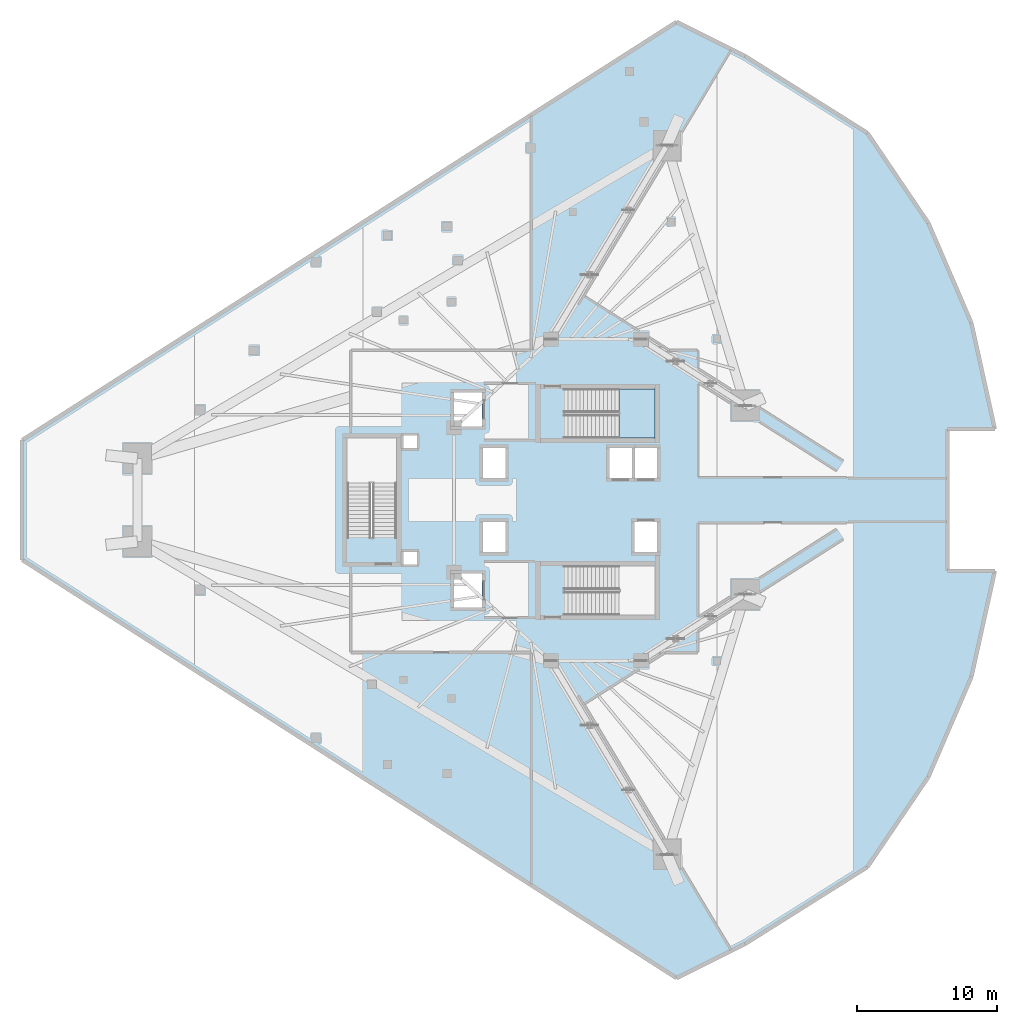
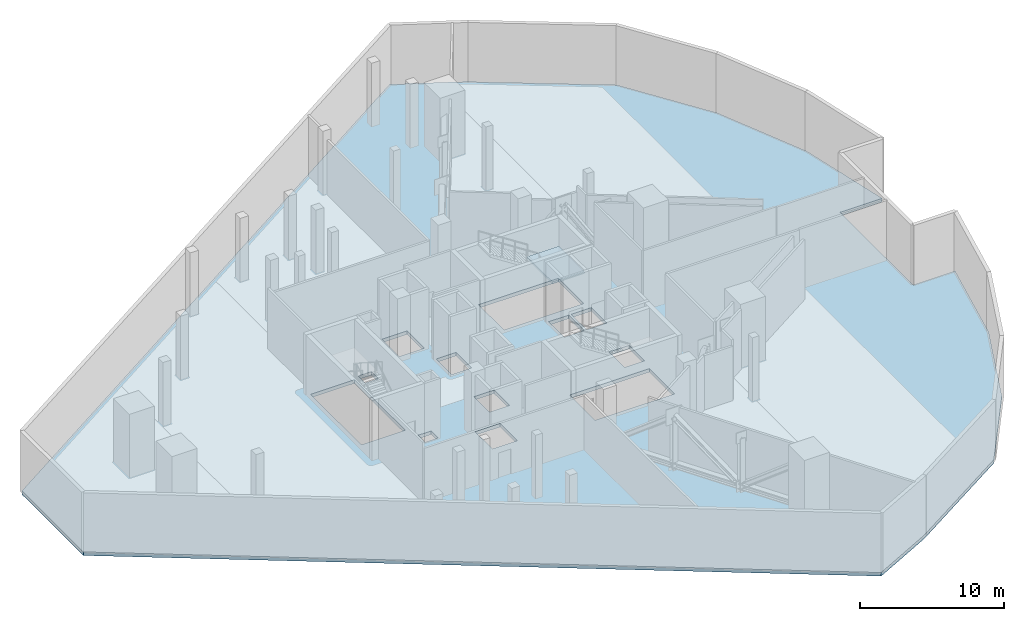
# One storey, part 3 of 12: 2 slabs, 1 element without a shape of its own.
"""IFC4 building model written with IfcOpenShell, lengths in metres."""

import ifcopenshell
import ifcopenshell.guid

model = None  # the IFC model being written
_history = None  # IfcOwnerHistory: only IFC2X3 demands one
_inside = {}  # id of a spatial element -> (the spatial element, [elements in it])
_under = {}  # id of a project, library or spatial element -> (it, [spatial elements below it])
_declared = {}  # id of a project -> (the project, [libraries it declares])
_typed = {}  # id of a type object -> (the type object, [elements of that type])
_made_of = {}  # id of a material, layer set ... -> (it, [elements and type objects made of it])


def new_model(schema):
    """Start an empty IFC model of exactly this schema.

    Asked for "IFC4X3", IfcOpenShell would pick the latest addendum, in which some entities
    have other attributes; the version numbers below select the first issue.
    IFC2X3 requires an IfcOwnerHistory on every rooted entity: one is made here for all.
    """
    global model, _history
    if schema == "IFC4X3":
        model = ifcopenshell.file(schema_version=(4, 3, 0, 0))
    else:
        model = ifcopenshell.file(schema=schema)
    _inside.clear()
    _under.clear()
    _declared.clear()
    _typed.clear()
    _made_of.clear()
    _history = None
    if model.schema == "IFC2X3":
        org = make("IfcOrganization", Name="unknown")
        user = make(
            "IfcPersonAndOrganization",
            ThePerson=make("IfcPerson", FamilyName="unknown"),
            TheOrganization=org,
        )
        app = make(
            "IfcApplication",
            ApplicationDeveloper=org,
            Version="unknown",
            ApplicationFullName="unknown",
            ApplicationIdentifier="unknown",
        )
        _history = make(
            "IfcOwnerHistory",
            OwningUser=user,
            OwningApplication=app,
            ChangeAction="ADDED",
            CreationDate=0,
        )
    return model


def make(cls, **values):
    """One entity of the class cls with the attributes given. An attribute that is None is left unset."""
    return model.create_entity(
        cls, **{name: value for name, value in values.items() if value is not None}
    )


def rooted(cls, **values):
    """An entity with a GlobalId (a new one), such as an element, a storey or a relation."""
    return make(cls, GlobalId=ifcopenshell.guid.new(), OwnerHistory=_history, **values)


def si_unit(unit_type, name, prefix=None):
    """IfcSIUnit, for example si_unit("LENGTHUNIT", "METRE", prefix="MILLI")."""
    return make("IfcSIUnit", UnitType=unit_type, Prefix=prefix, Name=name)


def assignment(units):
    """IfcUnitAssignment: the units of a project."""
    return None if units is None else make("IfcUnitAssignment", Units=units)


def point(xyz):
    """IfcCartesianPoint."""
    return None if xyz is None else make("IfcCartesianPoint", Coordinates=xyz)


def direction(xyz):
    """IfcDirection."""
    return None if xyz is None else make("IfcDirection", DirectionRatios=xyz)


def frame(location, z_axis=None, x_axis=None):
    """IfcAxis2Placement3D, a coordinate frame: its origin and axes. An axis left out is left unset."""
    return make(
        "IfcAxis2Placement3D",
        Location=point(location),
        Axis=direction(z_axis),
        RefDirection=direction(x_axis),
    )


def origin():
    """The frame at (0, 0, 0) with its axes left unset."""
    return frame((0.0, 0.0, 0.0))


def place(relative_to, where):
    """IfcLocalPlacement: puts the frame where relative to a parent placement (None: the world)."""
    return make(
        "IfcLocalPlacement", PlacementRelTo=relative_to, RelativePlacement=where
    )


def context(
    kind, dimensions, precision=None, world=None, true_north=None, identifier=None
):
    """IfcGeometricRepresentationContext, for example the 3D "Model" context."""
    return make(
        "IfcGeometricRepresentationContext",
        ContextIdentifier=identifier,
        ContextType=kind,
        CoordinateSpaceDimension=dimensions,
        Precision=precision,
        WorldCoordinateSystem=world,
        TrueNorth=true_north,
    )


def subcontext(parent, identifier, kind, view, scale=None):
    """IfcGeometricRepresentationSubContext, for example "Body" below "Model"."""
    return make(
        "IfcGeometricRepresentationSubContext",
        ContextIdentifier=identifier,
        ContextType=kind,
        ParentContext=parent,
        TargetScale=scale,
        TargetView=view,
    )


def project(units=None, contexts=None):
    """IfcProject with its units and contexts."""
    return rooted(
        "IfcProject",
        Name="project",
        RepresentationContexts=contexts,
        UnitsInContext=assignment(units),
    )


def spatial(cls, under=None, at=None, **own):
    """A site, building, storey or space (cls), placed at a placement, below another one or the project."""
    s = rooted(cls, ObjectPlacement=at, **own)
    if under is not None:
        _under.setdefault(under.id(), (under, []))[1].append(s)
    return s


def polyline(points):
    """IfcPolyline through the points."""
    return make("IfcPolyline", Points=[point(p) for p in points])


def outline(outer, holes=None, kind="AREA"):
    """IfcArbitraryClosedProfileDef: a profile drawn as a closed curve; with holes, ...WithVoids."""
    if holes is None:
        return make("IfcArbitraryClosedProfileDef", ProfileType=kind, OuterCurve=outer)
    return make(
        "IfcArbitraryProfileDefWithVoids",
        ProfileType=kind,
        OuterCurve=outer,
        InnerCurves=holes,
    )


def extrude(swept, where, along, depth):
    """IfcExtrudedAreaSolid: the profile swept, set in the frame where, extruded along a direction by depth."""
    return make(
        "IfcExtrudedAreaSolid",
        SweptArea=swept,
        Position=where,
        ExtrudedDirection=direction(along),
        Depth=depth,
    )


def shape(context_of_items, identifier, shape_type, items):
    """IfcShapeRepresentation: the items that make up one representation, for example the "Body"."""
    return make(
        "IfcShapeRepresentation",
        ContextOfItems=context_of_items,
        RepresentationIdentifier=identifier,
        RepresentationType=shape_type,
        Items=items,
    )


def material(Name=None, Category=None):
    """IfcMaterial."""
    return make("IfcMaterial", Name=Name, Category=Category)


def layer(
    of_material, thickness, ventilated=None, Name=None, Category=None, Priority=None
):
    """IfcMaterialLayer: one layer of a wall or slab, of a material (None: an air gap)."""
    return make(
        "IfcMaterialLayer",
        Material=of_material,
        LayerThickness=thickness,
        IsVentilated=ventilated,
        Name=Name,
        Category=Category,
        Priority=Priority,
    )


def layer_set(layers, Name=None):
    """IfcMaterialLayerSet."""
    return make("IfcMaterialLayerSet", MaterialLayers=layers, LayerSetName=Name)


def made_of(thing, what):
    """Note that an element or type object is made of a material, layer set ...; save() writes the relation."""
    if what is not None:
        _made_of.setdefault(what.id(), (what, []))[1].append(thing)
    return thing


def type_object(cls, material=None, **own):
    """A type object (cls), such as IfcWallType, which elements share."""
    return made_of(rooted(cls, **own), material)


def element(
    cls,
    number,
    at=None,
    inside=None,
    cuts=None,
    type_object=None,
    material=None,
    context=None,
    identifier="Body",
    shape_type=None,
    held_by="IfcProductDefinitionShape",
    body=None,
    shapes=None,
    **own,
):
    """One element of the class cls, such as IfcWall. Its Tag is "e" and its number.

    at: its placement. inside: the storey or other place that contains it. cuts: it is an
    opening in that element (IfcRelVoidsElement). A single representation is given by context,
    identifier, shape_type and body (its items); several are given by shapes. held_by: the class
    of the entity that holds the representations. save() writes the other relations.
    """
    e = rooted(cls, Tag="e%d" % number, ObjectPlacement=at, **own)
    if body is not None:
        shapes = [shape(context, identifier, shape_type, body)]
    if shapes is not None:
        e.Representation = make(held_by, Representations=shapes)
    if inside is not None:
        _inside.setdefault(inside.id(), (inside, []))[1].append(e)
    if cuts is not None:
        rooted(
            "IfcRelVoidsElement", RelatingBuildingElement=cuts, RelatedOpeningElement=e
        )
    if type_object is not None:
        _typed.setdefault(type_object.id(), (type_object, []))[1].append(e)
    return made_of(e, material)


def aggregate(whole, parts):
    """IfcRelAggregates: a whole, such as a stair, and the parts it consists of."""
    return rooted("IfcRelAggregates", RelatingObject=whole, RelatedObjects=parts)


def save(model, path):
    """Write the relations noted so far, then the file.

    IfcRelAggregates (storeys below a building ...), IfcRelContainedInSpatialStructure (elements
    in a storey), IfcRelDefinesByType, IfcRelAssociatesMaterial and IfcRelDeclares: one each for
    every whole, place, type object, material and project.
    """
    for whole, parts in _under.values():
        aggregate(whole, parts)
    for where, things in _inside.values():
        rooted(
            "IfcRelContainedInSpatialStructure",
            RelatedElements=things,
            RelatingStructure=where,
        )
    for kind, things in _typed.values():
        rooted("IfcRelDefinesByType", RelatedObjects=things, RelatingType=kind)
    for what, things in _made_of.values():
        rooted("IfcRelAssociatesMaterial", RelatedObjects=things, RelatingMaterial=what)
    for by, libraries in _declared.values():
        rooted("IfcRelDeclares", RelatingContext=by, RelatedDefinitions=libraries)
    model.write(path)


model = new_model("IFC4")

# Units and contexts
model_context = context("Model", 3, precision=1e-05, world=origin(), true_north=direction((0.0, 1.0)))
body_context = subcontext(model_context, "Body", "Model", "MODEL_VIEW")
ifc_project = project(units=[si_unit("LENGTHUNIT", "METRE"), si_unit("AREAUNIT", "SQUARE_METRE"), si_unit("VOLUMEUNIT", "CUBIC_METRE"), si_unit("PLANEANGLEUNIT", "RADIAN"), si_unit("MASSUNIT", "GRAM", prefix="KILO")], contexts=[model_context])

# Site, building, storey
site_placement = place(None, origin())
site = spatial("IfcSite", under=ifc_project, at=site_placement, CompositionType="ELEMENT")
building_placement = place(site_placement, origin())
building = spatial("IfcBuilding", under=site, at=building_placement, Name="Qorvath Tower", CompositionType="ELEMENT")
storey_placement = place(building_placement, frame((0.0, 0.0, 99.60009765625)))
storey = spatial("IfcBuildingStorey", under=building, at=storey_placement, Name="L22", CompositionType="ELEMENT", Elevation=99.60009765625)

# Stair, slab
ifc_material_1 = material(Name="Concrete C50/60", Category="concrete")
stair_type = type_object("IfcStairType", Name="ST-H540", PredefinedType="HALF_TURN_STAIR", material=ifc_material_1)
stair_placement = place(storey_placement, origin())
stair = element("IfcStair", 1, at=stair_placement, inside=storey, type_object=stair_type, Name="L22 Tower Exit Stair 1", PredefinedType="HALF_TURN_STAIR")
ifc_material_2 = material(Name="Concrete C50/60", Category="concrete")
ifc_layer_1 = layer(ifc_material_2, 0.199951171875)
ifc_layer_set_1 = layer_set([ifc_layer_1], Name="SL-LND-200")
slab_type_1 = type_object("IfcSlabType", Name="SL-LND-200", PredefinedType="LANDING", material=ifc_layer_set_1)
slab_1_placement = place(storey_placement, frame((0.0, 0.0, 2.5)))
slab_1 = element("IfcSlab", 2, at=slab_1_placement, type_object=slab_type_1, Name="TS1 landing 1", PredefinedType="LANDING", context=body_context, shape_type="SweptSolid", body=[
    extrude(outline(polyline([(-18.75, 4.39990234375), (-16.199951171875, 4.39990234375), (-16.199951171875, 7.909912109375), (-18.75, 7.909912109375), (-18.75, 4.39990234375)])), origin(), (0.0, 0.0, 1.0), 0.199951171875),
])
aggregate(stair, [slab_1])

# Slab
ifc_material_3 = material(Name="Concrete C50/60", Category="concrete")
ifc_layer_2 = layer(ifc_material_3, 0.300048828125)
ifc_layer_set_2 = layer_set([ifc_layer_2], Name="SL-PLANT-300")
slab_type_2 = type_object("IfcSlabType", Name="SL-PLANT-300", PredefinedType="FLOOR", material=ifc_layer_set_2)
slab_2_placement = place(storey_placement, frame((0.0, 0.0, -0.300048828125)))
element("IfcSlab", 3, at=slab_2_placement, inside=storey, type_object=slab_type_2, Name="Tower L22 Interior Floor Slab", PredefinedType="FLOOR", context=body_context, shape_type="SweptSolid", body=[
    extrude(outline(polyline([(-61.25537109375, 4.2548828125), (-61.25537109375, -4.2548828125), (-14.653564453125, -34.03955078125), (-9.790771484375, -31.608154296875), (-1.077880859375, -26.12841796875), (3.2626953125, -19.72021484375), (6.32373046875, -12.611328125), (7.99609375, -5.054443359375), (4.626708984375, -5.054443359375), (4.626708984375, 5.054443359375), (7.99609375, 5.054443359375), (6.32373046875, 12.611328125), (3.2626953125, 19.72021484375), (-1.077880859375, 26.12841796875), (-9.790771484375, 31.608154296875), (-14.653564453125, 34.03955078125), (-61.25537109375, 4.2548828125)]), holes=[polyline([(-17.64990234375, -3.699951171875), (-17.64990234375, -1.550048828125), (-16.050048828125, -1.550048828125), (-16.050048828125, -3.699951171875), (-17.64990234375, -3.699951171875)]), polyline([(-17.64990234375, 1.550048828125), (-17.64990234375, 3.699951171875), (-16.050048828125, 3.699951171875), (-16.050048828125, 1.550048828125), (-17.64990234375, 1.550048828125)]), polyline([(-16.2451171875, -8.199951171875), (-22.625, -8.199951171875), (-22.625, -4.68994140625), (-16.2451171875, -4.68994140625), (-16.2451171875, -8.199951171875)]), polyline([(-22.625, 4.39990234375), (-22.625, 7.909912109375), (-16.2451171875, 7.909912109375), (-16.2451171875, 4.39990234375), (-22.625, 4.39990234375)]), polyline([(-17.85009765625, 1.550048828125), (-19.449951171875, 1.550048828125), (-19.449951171875, 3.699951171875), (-17.85009765625, 3.699951171875), (-17.85009765625, 1.550048828125)]), polyline([(-28.449951171875, -3.699951171875), (-28.449951171875, -1.550048828125), (-26.85009765625, -1.550048828125), (-26.85009765625, -3.699951171875), (-28.449951171875, -3.699951171875)]), polyline([(-26.85009765625, 1.550048828125), (-28.449951171875, 1.550048828125), (-28.449951171875, 3.699951171875), (-26.85009765625, 3.699951171875), (-26.85009765625, 1.550048828125)]), polyline([(-28.5, -7.64990234375), (-30.5, -7.64990234375), (-30.5, -5.25), (-28.5, -5.25), (-28.5, -7.64990234375)]), polyline([(-30.5, 5.25), (-30.5, 7.64990234375), (-28.5, 7.64990234375), (-28.5, 5.25), (-30.5, 5.25)]), polyline([(-34.14990234375, -4.6201171875), (-34.14990234375, -3.64990234375), (-33.10009765625, -3.64990234375), (-33.10009765625, -4.6201171875), (-34.14990234375, -4.6201171875)]), polyline([(-34.14990234375, 3.64990234375), (-34.14990234375, 4.6201171875), (-33.10009765625, 4.6201171875), (-33.10009765625, 3.64990234375), (-34.14990234375, 3.64990234375)]), polyline([(-34.60009765625, -2.675048828125), (-38.110107421875, -2.675048828125), (-38.110107421875, 4.35498046875), (-34.60009765625, 4.35498046875), (-34.60009765625, -2.675048828125)])]), origin(), (0.0, 0.0, 1.0), 0.300048828125),
])

save(model, "model.ifc")
